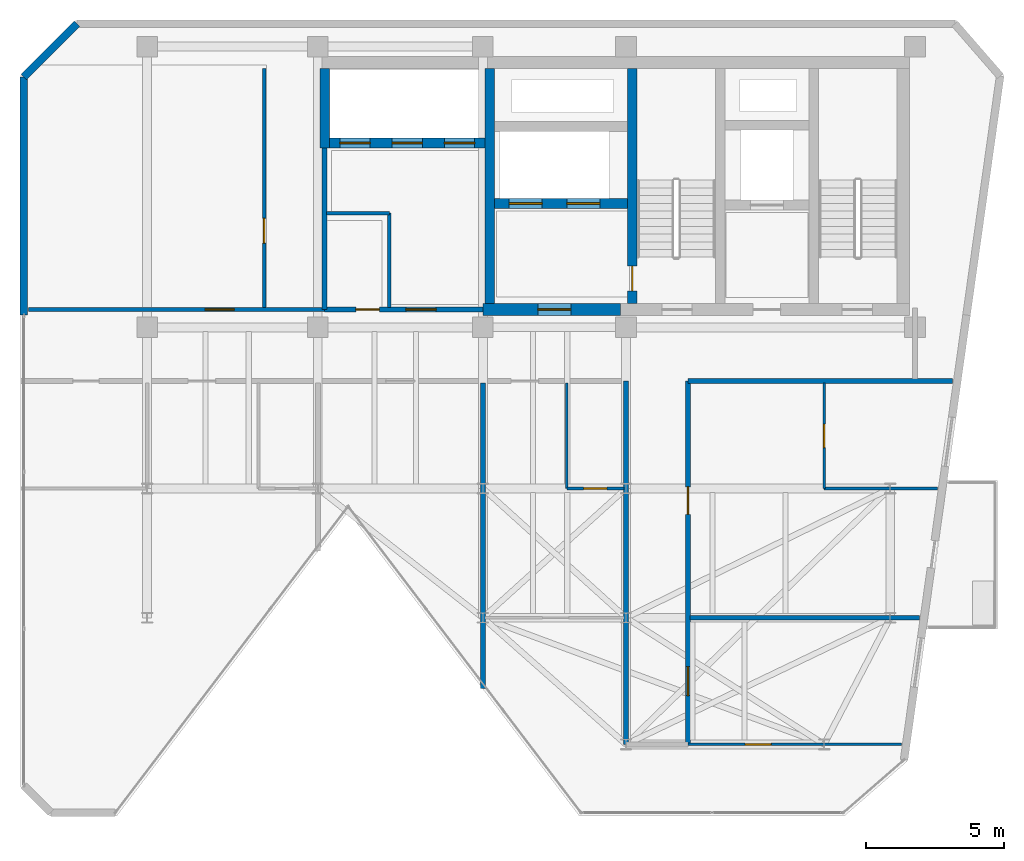
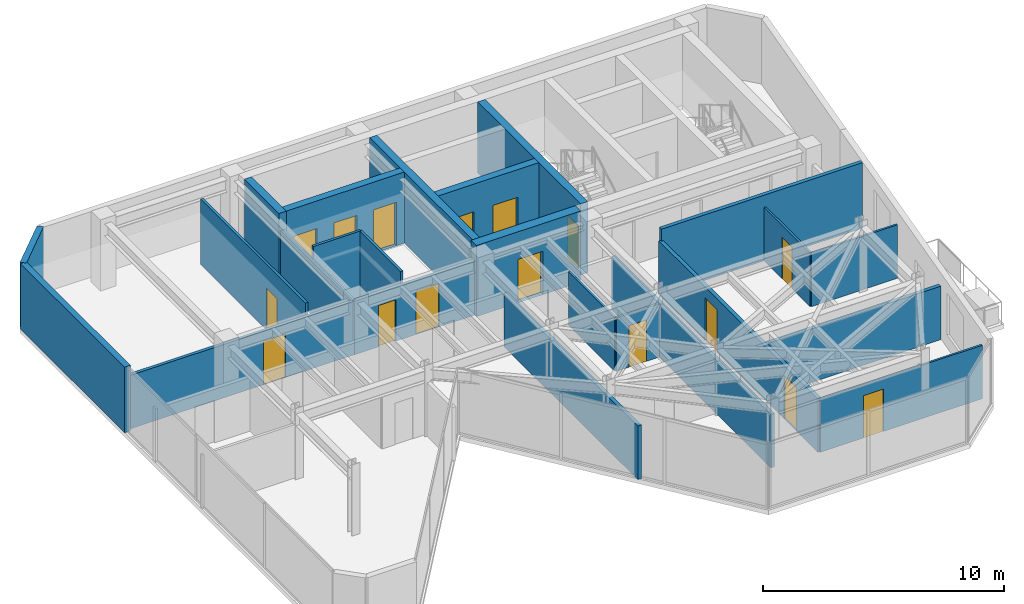
# One storey, part 13 of 16: 24 walls, 16 doors, 16 openings.
"""IFC4 building model written with IfcOpenShell, lengths in metres."""

import ifcopenshell
import ifcopenshell.guid

model = None  # the IFC model being written
_history = None  # IfcOwnerHistory: only IFC2X3 demands one
_inside = {}  # id of a spatial element -> (the spatial element, [elements in it])
_under = {}  # id of a project, library or spatial element -> (it, [spatial elements below it])
_declared = {}  # id of a project -> (the project, [libraries it declares])
_typed = {}  # id of a type object -> (the type object, [elements of that type])
_made_of = {}  # id of a material, layer set ... -> (it, [elements and type objects made of it])


def new_model(schema):
    """Start an empty IFC model of exactly this schema.

    Asked for "IFC4X3", IfcOpenShell would pick the latest addendum, in which some entities
    have other attributes; the version numbers below select the first issue.
    IFC2X3 requires an IfcOwnerHistory on every rooted entity: one is made here for all.
    """
    global model, _history
    if schema == "IFC4X3":
        model = ifcopenshell.file(schema_version=(4, 3, 0, 0))
    else:
        model = ifcopenshell.file(schema=schema)
    _inside.clear()
    _under.clear()
    _declared.clear()
    _typed.clear()
    _made_of.clear()
    _history = None
    if model.schema == "IFC2X3":
        org = make("IfcOrganization", Name="unknown")
        user = make(
            "IfcPersonAndOrganization",
            ThePerson=make("IfcPerson", FamilyName="unknown"),
            TheOrganization=org,
        )
        app = make(
            "IfcApplication",
            ApplicationDeveloper=org,
            Version="unknown",
            ApplicationFullName="unknown",
            ApplicationIdentifier="unknown",
        )
        _history = make(
            "IfcOwnerHistory",
            OwningUser=user,
            OwningApplication=app,
            ChangeAction="ADDED",
            CreationDate=0,
        )
    return model


def make(cls, **values):
    """One entity of the class cls with the attributes given. An attribute that is None is left unset."""
    return model.create_entity(
        cls, **{name: value for name, value in values.items() if value is not None}
    )


def rooted(cls, **values):
    """An entity with a GlobalId (a new one), such as an element, a storey or a relation."""
    return make(cls, GlobalId=ifcopenshell.guid.new(), OwnerHistory=_history, **values)


def si_unit(unit_type, name, prefix=None):
    """IfcSIUnit, for example si_unit("LENGTHUNIT", "METRE", prefix="MILLI")."""
    return make("IfcSIUnit", UnitType=unit_type, Prefix=prefix, Name=name)


def assignment(units):
    """IfcUnitAssignment: the units of a project."""
    return None if units is None else make("IfcUnitAssignment", Units=units)


def point(xyz):
    """IfcCartesianPoint."""
    return None if xyz is None else make("IfcCartesianPoint", Coordinates=xyz)


def direction(xyz):
    """IfcDirection."""
    return None if xyz is None else make("IfcDirection", DirectionRatios=xyz)


def frame(location, z_axis=None, x_axis=None):
    """IfcAxis2Placement3D, a coordinate frame: its origin and axes. An axis left out is left unset."""
    return make(
        "IfcAxis2Placement3D",
        Location=point(location),
        Axis=direction(z_axis),
        RefDirection=direction(x_axis),
    )


def frame_2d(location, x_axis=None):
    """IfcAxis2Placement2D, a coordinate frame in the plane: its origin and x axis."""
    return make(
        "IfcAxis2Placement2D", Location=point(location), RefDirection=direction(x_axis)
    )


def origin():
    """The frame at (0, 0, 0) with its axes left unset."""
    return frame((0.0, 0.0, 0.0))


def place(relative_to, where):
    """IfcLocalPlacement: puts the frame where relative to a parent placement (None: the world)."""
    return make(
        "IfcLocalPlacement", PlacementRelTo=relative_to, RelativePlacement=where
    )


def context(
    kind, dimensions, precision=None, world=None, true_north=None, identifier=None
):
    """IfcGeometricRepresentationContext, for example the 3D "Model" context."""
    return make(
        "IfcGeometricRepresentationContext",
        ContextIdentifier=identifier,
        ContextType=kind,
        CoordinateSpaceDimension=dimensions,
        Precision=precision,
        WorldCoordinateSystem=world,
        TrueNorth=true_north,
    )


def subcontext(parent, identifier, kind, view, scale=None):
    """IfcGeometricRepresentationSubContext, for example "Body" below "Model"."""
    return make(
        "IfcGeometricRepresentationSubContext",
        ContextIdentifier=identifier,
        ContextType=kind,
        ParentContext=parent,
        TargetScale=scale,
        TargetView=view,
    )


def project(units=None, contexts=None):
    """IfcProject with its units and contexts."""
    return rooted(
        "IfcProject",
        Name="project",
        RepresentationContexts=contexts,
        UnitsInContext=assignment(units),
    )


def spatial(cls, under=None, at=None, **own):
    """A site, building, storey or space (cls), placed at a placement, below another one or the project."""
    s = rooted(cls, ObjectPlacement=at, **own)
    if under is not None:
        _under.setdefault(under.id(), (under, []))[1].append(s)
    return s


def profile(cls, at=None, kind="AREA", **sizes):
    """A parametric profile (cls). Its sizes go by their IFC names, for example OverallWidth=200.0."""
    return make(cls, ProfileType=kind, Position=at, **sizes)


def rectangle(**sizes):
    """IfcRectangleProfileDef."""
    return profile("IfcRectangleProfileDef", **sizes)


def extrude(swept, where, along, depth):
    """IfcExtrudedAreaSolid: the profile swept, set in the frame where, extruded along a direction by depth."""
    return make(
        "IfcExtrudedAreaSolid",
        SweptArea=swept,
        Position=where,
        ExtrudedDirection=direction(along),
        Depth=depth,
    )


def shape(context_of_items, identifier, shape_type, items):
    """IfcShapeRepresentation: the items that make up one representation, for example the "Body"."""
    return make(
        "IfcShapeRepresentation",
        ContextOfItems=context_of_items,
        RepresentationIdentifier=identifier,
        RepresentationType=shape_type,
        Items=items,
    )


def material(Name=None, Category=None):
    """IfcMaterial."""
    return make("IfcMaterial", Name=Name, Category=Category)


def layer(
    of_material, thickness, ventilated=None, Name=None, Category=None, Priority=None
):
    """IfcMaterialLayer: one layer of a wall or slab, of a material (None: an air gap)."""
    return make(
        "IfcMaterialLayer",
        Material=of_material,
        LayerThickness=thickness,
        IsVentilated=ventilated,
        Name=Name,
        Category=Category,
        Priority=Priority,
    )


def layer_set(layers, Name=None):
    """IfcMaterialLayerSet."""
    return make("IfcMaterialLayerSet", MaterialLayers=layers, LayerSetName=Name)


def made_of(thing, what):
    """Note that an element or type object is made of a material, layer set ...; save() writes the relation."""
    if what is not None:
        _made_of.setdefault(what.id(), (what, []))[1].append(thing)
    return thing


def type_object(cls, material=None, **own):
    """A type object (cls), such as IfcWallType, which elements share."""
    return made_of(rooted(cls, **own), material)


def element(
    cls,
    number,
    at=None,
    inside=None,
    cuts=None,
    type_object=None,
    material=None,
    context=None,
    identifier="Body",
    shape_type=None,
    held_by="IfcProductDefinitionShape",
    body=None,
    shapes=None,
    **own,
):
    """One element of the class cls, such as IfcWall. Its Tag is "e" and its number.

    at: its placement. inside: the storey or other place that contains it. cuts: it is an
    opening in that element (IfcRelVoidsElement). A single representation is given by context,
    identifier, shape_type and body (its items); several are given by shapes. held_by: the class
    of the entity that holds the representations. save() writes the other relations.
    """
    e = rooted(cls, Tag="e%d" % number, ObjectPlacement=at, **own)
    if body is not None:
        shapes = [shape(context, identifier, shape_type, body)]
    if shapes is not None:
        e.Representation = make(held_by, Representations=shapes)
    if inside is not None:
        _inside.setdefault(inside.id(), (inside, []))[1].append(e)
    if cuts is not None:
        rooted(
            "IfcRelVoidsElement", RelatingBuildingElement=cuts, RelatedOpeningElement=e
        )
    if type_object is not None:
        _typed.setdefault(type_object.id(), (type_object, []))[1].append(e)
    return made_of(e, material)


def fill(opening, filler):
    """IfcRelFillsElement: the door or window that sits in an opening."""
    return rooted(
        "IfcRelFillsElement",
        RelatingOpeningElement=opening,
        RelatedBuildingElement=filler,
    )


def aggregate(whole, parts):
    """IfcRelAggregates: a whole, such as a stair, and the parts it consists of."""
    return rooted("IfcRelAggregates", RelatingObject=whole, RelatedObjects=parts)


def save(model, path):
    """Write the relations noted so far, then the file.

    IfcRelAggregates (storeys below a building ...), IfcRelContainedInSpatialStructure (elements
    in a storey), IfcRelDefinesByType, IfcRelAssociatesMaterial and IfcRelDeclares: one each for
    every whole, place, type object, material and project.
    """
    for whole, parts in _under.values():
        aggregate(whole, parts)
    for where, things in _inside.values():
        rooted(
            "IfcRelContainedInSpatialStructure",
            RelatedElements=things,
            RelatingStructure=where,
        )
    for kind, things in _typed.values():
        rooted("IfcRelDefinesByType", RelatedObjects=things, RelatingType=kind)
    for what, things in _made_of.values():
        rooted("IfcRelAssociatesMaterial", RelatedObjects=things, RelatingMaterial=what)
    for by, libraries in _declared.values():
        rooted("IfcRelDeclares", RelatingContext=by, RelatedDefinitions=libraries)
    model.write(path)


model = new_model("IFC4")

# Units and contexts
model_context = context("Model", 3, precision=1e-05, world=origin(), true_north=direction((0.0, 1.0)))
body_context = subcontext(model_context, "Body", "Model", "MODEL_VIEW")
ifc_project = project(units=[si_unit("LENGTHUNIT", "METRE"), si_unit("AREAUNIT", "SQUARE_METRE"), si_unit("VOLUMEUNIT", "CUBIC_METRE"), si_unit("PLANEANGLEUNIT", "RADIAN"), si_unit("MASSUNIT", "GRAM", prefix="KILO")], contexts=[model_context])

# Site, building, storey
site_placement = place(None, origin())
site = spatial("IfcSite", under=ifc_project, at=site_placement, CompositionType="ELEMENT")
building_placement = place(site_placement, origin())
building = spatial("IfcBuilding", under=site, at=building_placement, Name="Kravanh Interchange Tower", CompositionType="ELEMENT")
storey_placement = place(building_placement, frame((0.0, 0.0, 307.5)))
storey = spatial("IfcBuildingStorey", under=building, at=storey_placement, Name="L76", CompositionType="ELEMENT", Elevation=307.5)

# Walls
ifc_material_1 = material(Name="Double Acoustic Gypsum Board and Mineral Wool")
ifc_layer_1 = layer(ifc_material_1, 0.1201171875)
ifc_layer_set_1 = layer_set([ifc_layer_1], Name="Acoustic Office Drywall Partition 120mm")
wall_type_1 = type_object("IfcWallType", Name="Acoustic Office Drywall Partition 120mm", PredefinedType="PARTITIONING", material=ifc_layer_set_1)
wall_1_placement = place(storey_placement, frame((47.39990234375, 38.068115234375, 0.0), z_axis=(0.0, 0.0, 1.0), x_axis=(0.0, 1.0, 0.0)))
element("IfcWall", 1, at=wall_1_placement, inside=storey, type_object=wall_type_1, Name="L76 Interior Partition 2", PredefinedType="PARTITIONING", context=body_context, shape_type="SweptSolid", body=[
    extrude(rectangle(XDim=3.431884765625, YDim=0.1201171875, at=frame_2d((1.7158203125, 0.0))), origin(), (0.0, 0.0, 1.0), 3.320068359375),
])
wall_2_placement = place(storey_placement, frame((45.117919921875, 41.5, 0.0), z_axis=(0.0, 0.0, 1.0), x_axis=(1.0, 0.0, 0.0)))
element("IfcWall", 2, at=wall_2_placement, inside=storey, type_object=wall_type_1, Name="L76 Interior Partition 3", PredefinedType="PARTITIONING", context=body_context, shape_type="SweptSolid", body=[
    extrude(rectangle(XDim=2.281982421875, YDim=0.1201171875, at=frame_2d((1.14111328125, 0.0))), origin(), (0.0, 0.0, 1.0), 3.320068359375),
])

# Wall, opening, door
wall_3_placement = place(storey_placement, frame((42.85009765625, 38.068115234375, 0.0), z_axis=(0.0, 0.0, 1.0), x_axis=(0.0, 1.0, 0.0)))
wall_3 = element("IfcWall", 3, at=wall_3_placement, inside=storey, type_object=wall_type_1, Name="L76 Interior Partition 7", PredefinedType="PARTITIONING", context=body_context, shape_type="SweptSolid", body=[
    extrude(rectangle(XDim=8.681884765625, YDim=0.1201171875, at=frame_2d((4.3408203125, 0.0))), origin(), (0.0, 0.0, 1.0), 3.320068359375),
])
opening_1_placement = place(wall_3_placement, frame((2.341796875, 0.0, 0.0)))
opening_1 = element("IfcOpeningElement", 4, at=opening_1_placement, cuts=wall_3, Name="Opening D-90", PredefinedType="OPENING", context=body_context, shape_type="SweptSolid", body=[
    extrude(rectangle(XDim=0.89990234375, YDim=2.10009765625, at=frame_2d((0.449951171875, 1.050048828125))), frame((0.0, 0.070068359375, 0.0), z_axis=(0.0, -1.0, 0.0), x_axis=(1.0, 0.0, 0.0)), (0.0, 0.0, 1.0), 0.14013671875),
])
ifc_material_2 = material(Name="Painted Solid-Core Timber", Category="wood")
door_type_1 = type_object("IfcDoorType", Name="Service Room Door 900x2100", OperationType="NOTDEFINED", PredefinedType="DOOR", material=ifc_material_2)
door_1_placement = place(opening_1_placement, origin())
door_1 = element("IfcDoor", 5, at=door_1_placement, inside=storey, type_object=door_type_1, Name="L76 Housekeeping Inner Door", OperationType="SINGLE_SWING_RIGHT", OverallHeight=2.10009765625, OverallWidth=0.89990234375, PredefinedType="DOOR", context=body_context, shape_type="SweptSolid", body=[
    extrude(rectangle(XDim=0.89990234375, YDim=2.10009765625, at=frame_2d((0.449951171875, 1.050048828125))), frame((0.0, 0.02490234375, 0.0), z_axis=(0.0, -1.0, 0.0), x_axis=(1.0, 0.0, 0.0)), (0.0, 0.0, 1.0), 0.050048828125),
])
fill(opening_1, door_1)

ifc_material_3 = material(Name="Concrete C60/75", Category="concrete")
ifc_layer_2 = layer(ifc_material_3, 0.35009765625)
ifc_layer_set_2 = layer_set([ifc_layer_2], Name="Core Shear Wall Concrete C60/75 350mm")
wall_type_2 = type_object("IfcWallType", Name="Core Shear Wall Concrete C60/75 350mm", PredefinedType="SHEAR", material=ifc_layer_set_2)
wall_4_placement = place(storey_placement, frame((56.22509765625, 38.22509765625, 0.0), z_axis=(0.0, 0.0, 1.0), x_axis=(0.0, 1.0, 0.0)))
wall_4 = element("IfcWall", 6, at=wall_4_placement, inside=storey, type_object=wall_type_2, Name="L76 Stair ST2 West Shear Wall", PredefinedType="SHEAR", context=body_context, shape_type="SweptSolid", body=[
    extrude(rectangle(XDim=8.52490234375, YDim=0.35009765625, at=frame_2d((4.262451171875, 0.0))), origin(), (0.0, 0.0, 1.0), 3.60009765625),
])
opening_2_placement = place(wall_4_placement, frame((0.455078125, 0.0, 0.0)))
opening_2 = element("IfcOpeningElement", 7, at=opening_2_placement, cuts=wall_4, Name="Opening D-STAIR-90", PredefinedType="OPENING", context=body_context, shape_type="SweptSolid", body=[
    extrude(rectangle(XDim=0.89990234375, YDim=2.14990234375, at=frame_2d((0.449951171875, 1.074951171875))), frame((0.0, 0.18505859375, 0.0), z_axis=(0.0, -1.0, 0.0), x_axis=(1.0, 0.0, 0.0)), (0.0, 0.0, 1.0), 0.3701171875),
])
ifc_material_4 = material(Name="Structural Steel S355", Category="steel")
door_type_2 = type_object("IfcDoorType", Name="Fire-Rated Stair Lobby Door 900x2150", OperationType="NOTDEFINED", PredefinedType="DOOR", material=ifc_material_4)
door_2_placement = place(opening_2_placement, origin())
door_2 = element("IfcDoor", 8, at=door_2_placement, inside=storey, type_object=door_type_2, Name="L76 Firefighting Lobby to Stair ST2 Door", OperationType="SINGLE_SWING_LEFT", OverallHeight=2.14990234375, OverallWidth=0.89990234375, PredefinedType="DOOR", context=body_context, shape_type="SweptSolid", body=[
    extrude(rectangle(XDim=0.89990234375, YDim=2.14990234375, at=frame_2d((0.449951171875, 1.074951171875))), frame((0.0, 0.02490234375, 0.0), z_axis=(0.0, -1.0, 0.0), x_axis=(1.0, 0.0, 0.0)), (0.0, 0.0, 1.0), 0.050048828125),
])
fill(opening_2, door_2)

# Wall, openings, doors
wall_5_placement = place(storey_placement, frame((51.22509765625, 41.85009765625, 0.0), z_axis=(0.0, 0.0, 1.0), x_axis=(1.0, 0.0, 0.0)))
wall_5 = element("IfcWall", 9, at=wall_5_placement, inside=storey, type_object=wall_type_2, Name="L76 Fire Lift Shaft South Wall", PredefinedType="SHEAR", context=body_context, shape_type="SweptSolid", body=[
    extrude(rectangle(XDim=4.824951171875, YDim=0.35009765625, at=frame_2d((2.41259765625, 0.0))), origin(), (0.0, 0.0, 1.0), 3.60009765625),
])
opening_3_placement = place(wall_5_placement, frame((0.52490234375, 0.0, 0.0)))
opening_3 = element("IfcOpeningElement", 10, at=opening_3_placement, cuts=wall_5, Name="Opening LD02", PredefinedType="OPENING", context=body_context, shape_type="SweptSolid", body=[
    extrude(rectangle(XDim=1.199951171875, YDim=2.199951171875, at=frame_2d((0.60009765625, 1.10009765625))), frame((0.0, 0.18505859375, 0.0), z_axis=(0.0, -1.0, 0.0), x_axis=(1.0, 0.0, 0.0)), (0.0, 0.0, 1.0), 0.3701171875),
])
opening_4_placement = place(wall_5_placement, frame((2.625, 0.0, 0.0)))
opening_4 = element("IfcOpeningElement", 11, at=opening_4_placement, cuts=wall_5, Name="Opening LD02", PredefinedType="OPENING", context=body_context, shape_type="SweptSolid", body=[
    extrude(rectangle(XDim=1.199951171875, YDim=2.199951171875, at=frame_2d((0.60009765625, 1.10009765625))), frame((0.0, 0.18505859375, 0.0), z_axis=(0.0, -1.0, 0.0), x_axis=(1.0, 0.0, 0.0)), (0.0, 0.0, 1.0), 0.3701171875),
])
ifc_material_5 = material(Name="Stainless Steel 316", Category="steel")
door_type_3 = type_object("IfcDoorType", Name="Fire and Service Lift Sliding Landing Door 1200x2200", OperationType="DOUBLE_DOOR_SLIDING", PredefinedType="DOOR", material=ifc_material_5)
door_3_placement = place(opening_3_placement, origin())
door_3 = element("IfcDoor", 12, at=door_3_placement, inside=storey, type_object=door_type_3, Name="L76 Lift FSAE-01 Landing Door", OperationType="DOUBLE_DOOR_SLIDING", OverallHeight=2.199951171875, OverallWidth=1.199951171875, PredefinedType="DOOR", context=body_context, shape_type="SweptSolid", body=[
    extrude(rectangle(XDim=1.199951171875, YDim=2.199951171875, at=frame_2d((0.60009765625, 1.10009765625))), frame((0.0, 0.02490234375, 0.0), z_axis=(0.0, -1.0, 0.0), x_axis=(1.0, 0.0, 0.0)), (0.0, 0.0, 1.0), 0.050048828125),
])
fill(opening_3, door_3)
door_4_placement = place(opening_4_placement, origin())
door_4 = element("IfcDoor", 13, at=door_4_placement, inside=storey, type_object=door_type_3, Name="L76 Lift FSAE-02 Landing Door", OperationType="DOUBLE_DOOR_SLIDING", OverallHeight=2.199951171875, OverallWidth=1.199951171875, PredefinedType="DOOR", context=body_context, shape_type="SweptSolid", body=[
    extrude(rectangle(XDim=1.199951171875, YDim=2.199951171875, at=frame_2d((0.60009765625, 1.10009765625))), frame((0.0, 0.02490234375, 0.0), z_axis=(0.0, -1.0, 0.0), x_axis=(1.0, 0.0, 0.0)), (0.0, 0.0, 1.0), 0.050048828125),
])
fill(opening_4, door_4)

# Wall
wall_6_placement = place(storey_placement, frame((51.050048828125, 38.22509765625, 0.0), z_axis=(0.0, 0.0, 1.0), x_axis=(0.0, 1.0, 0.0)))
element("IfcWall", 14, at=wall_6_placement, inside=storey, type_object=wall_type_2, Name="L76 Firefighting Lobby West Wall", PredefinedType="SHEAR", context=body_context, shape_type="SweptSolid", body=[
    extrude(rectangle(XDim=8.52490234375, YDim=0.35009765625, at=frame_2d((4.262451171875, 0.0))), origin(), (0.0, 0.0, 1.0), 3.60009765625),
])

# Wall, openings, doors
wall_7_placement = place(storey_placement, frame((45.22509765625, 44.050048828125, 0.0), z_axis=(0.0, 0.0, 1.0), x_axis=(1.0, 0.0, 0.0)))
wall_7 = element("IfcWall", 15, at=wall_7_placement, inside=storey, type_object=wall_type_2, Name="L76 High-Rise Lift Shaft South Wall", PredefinedType="SHEAR", context=body_context, shape_type="SweptSolid", body=[
    extrude(rectangle(XDim=5.64990234375, YDim=0.35009765625, at=frame_2d((2.824951171875, 0.0))), origin(), (0.0, 0.0, 1.0), 3.60009765625),
])
opening_5_placement = place(wall_7_placement, frame((0.375, 0.0, 0.0)))
opening_5 = element("IfcOpeningElement", 16, at=opening_5_placement, cuts=wall_7, Name="Opening LD01", PredefinedType="OPENING", context=body_context, shape_type="SweptSolid", body=[
    extrude(rectangle(XDim=1.10009765625, YDim=2.199951171875, at=frame_2d((0.550048828125, 1.10009765625))), frame((0.0, 0.18505859375, 0.0), z_axis=(0.0, -1.0, 0.0), x_axis=(1.0, 0.0, 0.0)), (0.0, 0.0, 1.0), 0.3701171875),
])
opening_6_placement = place(wall_7_placement, frame((2.27490234375, 0.0, 0.0)))
opening_6 = element("IfcOpeningElement", 17, at=opening_6_placement, cuts=wall_7, Name="Opening LD01", PredefinedType="OPENING", context=body_context, shape_type="SweptSolid", body=[
    extrude(rectangle(XDim=1.10009765625, YDim=2.199951171875, at=frame_2d((0.550048828125, 1.10009765625))), frame((0.0, 0.18505859375, 0.0), z_axis=(0.0, -1.0, 0.0), x_axis=(1.0, 0.0, 0.0)), (0.0, 0.0, 1.0), 0.3701171875),
])
opening_7_placement = place(wall_7_placement, frame((4.175048828125, 0.0, 0.0)))
opening_7 = element("IfcOpeningElement", 18, at=opening_7_placement, cuts=wall_7, Name="Opening LD01", PredefinedType="OPENING", context=body_context, shape_type="SweptSolid", body=[
    extrude(rectangle(XDim=1.10009765625, YDim=2.199951171875, at=frame_2d((0.550048828125, 1.10009765625))), frame((0.0, 0.18505859375, 0.0), z_axis=(0.0, -1.0, 0.0), x_axis=(1.0, 0.0, 0.0)), (0.0, 0.0, 1.0), 0.3701171875),
])
ifc_material_6 = material(Name="Stainless Steel 304", Category="steel")
door_type_4 = type_object("IfcDoorType", Name="Passenger Lift Sliding Landing Door 1100x2200", OperationType="DOUBLE_DOOR_SLIDING", PredefinedType="DOOR", material=ifc_material_6)
door_5_placement = place(opening_5_placement, origin())
door_5 = element("IfcDoor", 19, at=door_5_placement, inside=storey, type_object=door_type_4, Name="L76 Lift LP-H1 Landing Door", OperationType="DOUBLE_DOOR_SLIDING", OverallHeight=2.199951171875, OverallWidth=1.10009765625, PredefinedType="DOOR", context=body_context, shape_type="SweptSolid", body=[
    extrude(rectangle(XDim=1.10009765625, YDim=2.199951171875, at=frame_2d((0.550048828125, 1.10009765625))), frame((0.0, 0.02490234375, 0.0), z_axis=(0.0, -1.0, 0.0), x_axis=(1.0, 0.0, 0.0)), (0.0, 0.0, 1.0), 0.050048828125),
])
fill(opening_5, door_5)
door_6_placement = place(opening_6_placement, origin())
door_6 = element("IfcDoor", 20, at=door_6_placement, inside=storey, type_object=door_type_4, Name="L76 Lift LP-H2 Landing Door", OperationType="DOUBLE_DOOR_SLIDING", OverallHeight=2.199951171875, OverallWidth=1.10009765625, PredefinedType="DOOR", context=body_context, shape_type="SweptSolid", body=[
    extrude(rectangle(XDim=1.10009765625, YDim=2.199951171875, at=frame_2d((0.550048828125, 1.10009765625))), frame((0.0, 0.02490234375, 0.0), z_axis=(0.0, -1.0, 0.0), x_axis=(1.0, 0.0, 0.0)), (0.0, 0.0, 1.0), 0.050048828125),
])
fill(opening_6, door_6)
door_7_placement = place(opening_7_placement, origin())
door_7 = element("IfcDoor", 21, at=door_7_placement, inside=storey, type_object=door_type_4, Name="L76 Lift LP-H3 Landing Door", OperationType="DOUBLE_DOOR_SLIDING", OverallHeight=2.199951171875, OverallWidth=1.10009765625, PredefinedType="DOOR", context=body_context, shape_type="SweptSolid", body=[
    extrude(rectangle(XDim=1.10009765625, YDim=2.199951171875, at=frame_2d((0.550048828125, 1.10009765625))), frame((0.0, 0.02490234375, 0.0), z_axis=(0.0, -1.0, 0.0), x_axis=(1.0, 0.0, 0.0)), (0.0, 0.0, 1.0), 0.050048828125),
])
fill(opening_7, door_7)

# Wall
wall_8_placement = place(storey_placement, frame((45.050048828125, 43.875, 0.0), z_axis=(0.0, 0.0, 1.0), x_axis=(0.0, 1.0, 0.0)))
element("IfcWall", 22, at=wall_8_placement, inside=storey, type_object=wall_type_2, Name="L76 High-Rise Lift Shaft West Wall", PredefinedType="SHEAR", context=body_context, shape_type="SweptSolid", body=[
    extrude(rectangle(XDim=2.875, YDim=0.35009765625, at=frame_2d((1.4375, 0.0))), origin(), (0.0, 0.0, 1.0), 3.60009765625),
])

# Wall, opening, door
ifc_material_7 = material(Name="Concrete C60/75", Category="concrete")
ifc_layer_3 = layer(ifc_material_7, 0.449951171875)
ifc_layer_set_3 = layer_set([ifc_layer_3], Name="Core Shear Wall Concrete C60/75 450mm")
wall_type_3 = type_object("IfcWallType", Name="Core Shear Wall Concrete C60/75 450mm", PredefinedType="SHEAR", material=ifc_layer_set_3)
wall_9_placement = place(storey_placement, frame((50.800048828125, 38.0, 0.0), z_axis=(0.0, 0.0, 1.0), x_axis=(1.0, 0.0, 0.0)))
wall_9 = element("IfcWall", 23, at=wall_9_placement, inside=storey, type_object=wall_type_3, Name="L76 Firefighting Lobby South Shear Wall", PredefinedType="SHEAR", context=body_context, shape_type="SweptSolid", body=[
    extrude(rectangle(XDim=5.0, YDim=0.449951171875, at=frame_2d((2.5, 0.0))), origin(), (0.0, 0.0, 1.0), 3.60009765625),
])
opening_8_placement = place(wall_9_placement, frame((2.0, 0.0, 0.0)))
opening_8 = element("IfcOpeningElement", 24, at=opening_8_placement, cuts=wall_9, Name="Opening D-FSAE-120", PredefinedType="OPENING", context=body_context, shape_type="SweptSolid", body=[
    extrude(rectangle(XDim=1.199951171875, YDim=2.199951171875, at=frame_2d((0.60009765625, 1.10009765625))), frame((0.0, 0.23486328125, 0.0), z_axis=(0.0, -1.0, 0.0), x_axis=(1.0, 0.0, 0.0)), (0.0, 0.0, 1.0), 0.469970703125),
])
ifc_material_8 = material(Name="Structural Steel S355", Category="steel")
door_type_5 = type_object("IfcDoorType", Name="Fire-Rated Refuge and FSAE Door 1200x2200", OperationType="NOTDEFINED", PredefinedType="DOOR", material=ifc_material_8)
door_8_placement = place(opening_8_placement, origin())
door_8 = element("IfcDoor", 25, at=door_8_placement, inside=storey, type_object=door_type_5, Name="L76 Firefighting Lobby Corridor Door", OperationType="SINGLE_SWING_RIGHT", OverallHeight=2.199951171875, OverallWidth=1.199951171875, PredefinedType="DOOR", context=body_context, shape_type="SweptSolid", body=[
    extrude(rectangle(XDim=1.199951171875, YDim=2.199951171875, at=frame_2d((0.60009765625, 1.10009765625))), frame((0.0, 0.02490234375, 0.0), z_axis=(0.0, -1.0, 0.0), x_axis=(1.0, 0.0, 0.0)), (0.0, 0.0, 1.0), 0.050048828125),
])
fill(opening_8, door_8)

ifc_material_9 = material(Name="Moisture-Resistant Gypsum Board and Mineral Wool")
ifc_layer_4 = layer(ifc_material_9, 0.10009765625)
ifc_layer_set_4 = layer_set([ifc_layer_4], Name="En-Suite Moisture-Resistant Partition 100mm")
wall_type_4 = type_object("IfcWallType", Name="En-Suite Moisture-Resistant Partition 100mm", PredefinedType="PARTITIONING", material=ifc_layer_set_4)
wall_10_placement = place(storey_placement, frame((58.25, 22.199951171875, 0.0), z_axis=(0.0, 0.0, 1.0), x_axis=(1.0, 0.0, 0.0)))
wall_10 = element("IfcWall", 26, at=wall_10_placement, inside=storey, type_object=wall_type_4, Name="L76 Interior Partition 17", PredefinedType="PARTITIONING", context=body_context, shape_type="SweptSolid", body=[
    extrude(rectangle(XDim=7.76611328125, YDim=0.10009765625, at=frame_2d((3.883056640625, 0.0))), origin(), (0.0, 0.0, 1.0), 2.708984375),
])
opening_9_placement = place(wall_10_placement, frame((2.074951171875, 0.0, 0.0)))
opening_9 = element("IfcOpeningElement", 27, at=opening_9_placement, cuts=wall_10, Name="Opening D-95", PredefinedType="OPENING", context=body_context, shape_type="SweptSolid", body=[
    extrude(rectangle(XDim=0.949951171875, YDim=2.14990234375, at=frame_2d((0.47509765625, 1.074951171875))), frame((0.0, 0.06005859375, 0.0), z_axis=(0.0, -1.0, 0.0), x_axis=(1.0, 0.0, 0.0)), (0.0, 0.0, 1.0), 0.1201171875),
])
ifc_material_10 = material(Name="Laminate Solid-Core Timber", Category="wood")
door_type_6 = type_object("IfcDoorType", Name="Accessible Restroom Door 950x2150", OperationType="NOTDEFINED", PredefinedType="DOOR", material=ifc_material_10)
door_9_placement = place(opening_9_placement, origin())
door_9 = element("IfcDoor", 28, at=door_9_placement, inside=storey, type_object=door_type_6, Name="L76 SE Sunroom Inner Door", OperationType="SINGLE_SWING_LEFT", OverallHeight=2.14990234375, OverallWidth=0.949951171875, PredefinedType="DOOR", context=body_context, shape_type="SweptSolid", body=[
    extrude(rectangle(XDim=0.949951171875, YDim=2.14990234375, at=frame_2d((0.47509765625, 1.074951171875))), frame((0.0, 0.02490234375, 0.0), z_axis=(0.0, -1.0, 0.0), x_axis=(1.0, 0.0, 0.0)), (0.0, 0.0, 1.0), 0.050048828125),
])
fill(opening_9, door_9)

# Wall
wall_11_placement = place(storey_placement, frame((63.199951171875, 31.5, 0.0), z_axis=(0.0, 0.0, 1.0), x_axis=(1.0, 0.0, 0.0)))
element("IfcWall", 29, at=wall_11_placement, inside=storey, type_object=wall_type_4, Name="L76 Interior Partition 18", PredefinedType="PARTITIONING", context=body_context, shape_type="SweptSolid", body=[
    extrude(rectangle(XDim=4.123046875, YDim=0.10009765625, at=frame_2d((2.0615234375, 0.0))), origin(), (0.0, 0.0, 1.0), 2.708984375),
])

# Wall, opening, door
wall_12_placement = place(storey_placement, frame((63.199951171875, 31.5, 0.0), z_axis=(0.0, 0.0, 1.0), x_axis=(0.0, 1.0, 0.0)))
wall_12 = element("IfcWall", 30, at=wall_12_placement, inside=storey, type_object=wall_type_4, Name="L76 Interior Partition 19", PredefinedType="PARTITIONING", context=body_context, shape_type="SweptSolid", body=[
    extrude(rectangle(XDim=3.83203125, YDim=0.10009765625, at=frame_2d((1.916015625, 0.0))), origin(), (0.0, 0.0, 1.0), 2.708984375),
])
opening_10_placement = place(wall_12_placement, frame((1.48486328125, 0.0, 0.0)))
opening_10 = element("IfcOpeningElement", 31, at=opening_10_placement, cuts=wall_12, Name="Opening D-85", PredefinedType="OPENING", context=body_context, shape_type="SweptSolid", body=[
    extrude(rectangle(XDim=0.85009765625, YDim=2.10009765625, at=frame_2d((0.425048828125, 1.050048828125))), frame((0.0, 0.06005859375, 0.0), z_axis=(0.0, -1.0, 0.0), x_axis=(1.0, 0.0, 0.0)), (0.0, 0.0, 1.0), 0.1201171875),
])
ifc_material_11 = material(Name="Engineered Teak Veneer Timber", Category="wood")
door_type_7 = type_object("IfcDoorType", Name="En-Suite Timber Door 850x2100", OperationType="NOTDEFINED", PredefinedType="DOOR", material=ifc_material_11)
door_10_placement = place(opening_10_placement, origin())
door_10 = element("IfcDoor", 32, at=door_10_placement, inside=storey, type_object=door_type_7, Name="L76 En-suite Bathroom Door", OperationType="SINGLE_SWING_LEFT", OverallHeight=2.10009765625, OverallWidth=0.85009765625, PredefinedType="DOOR", context=body_context, shape_type="SweptSolid", body=[
    extrude(rectangle(XDim=0.85009765625, YDim=2.10009765625, at=frame_2d((0.425048828125, 1.050048828125))), frame((0.0, 0.02490234375, 0.0), z_axis=(0.0, -1.0, 0.0), x_axis=(1.0, 0.0, 0.0)), (0.0, 0.0, 1.0), 0.050048828125),
])
fill(opening_10, door_10)

# Wall
wall_13_placement = place(storey_placement, frame((53.85009765625, 31.5, 0.0), z_axis=(0.0, 0.0, 1.0), x_axis=(0.0, 1.0, 0.0)))
element("IfcWall", 33, at=wall_13_placement, inside=storey, type_object=wall_type_4, Name="L76 Interior Partition 25", PredefinedType="PARTITIONING", context=body_context, shape_type="SweptSolid", body=[
    extrude(rectangle(XDim=3.83203125, YDim=0.10009765625, at=frame_2d((1.916015625, 0.0))), origin(), (0.0, 0.0, 1.0), 2.708984375),
])

# Wall, opening, door
wall_14_placement = place(storey_placement, frame((53.85009765625, 31.5, 0.0), z_axis=(0.0, 0.0, 1.0), x_axis=(1.0, 0.0, 0.0)))
wall_14 = element("IfcWall", 34, at=wall_14_placement, inside=storey, type_object=wall_type_4, Name="L76 Interior Partition 26", PredefinedType="PARTITIONING", context=body_context, shape_type="SweptSolid", body=[
    extrude(rectangle(XDim=2.081787109375, YDim=0.10009765625, at=frame_2d((1.041015625, 0.0))), origin(), (0.0, 0.0, 1.0), 2.708984375),
])
opening_11_placement = place(wall_14_placement, frame((0.607421875, 0.0, 0.0)))
opening_11 = element("IfcOpeningElement", 35, at=opening_11_placement, cuts=wall_14, Name="Opening D-85", PredefinedType="OPENING", context=body_context, shape_type="SweptSolid", body=[
    extrude(rectangle(XDim=0.85009765625, YDim=2.10009765625, at=frame_2d((0.425048828125, 1.050048828125))), frame((0.0, 0.06005859375, 0.0), z_axis=(0.0, -1.0, 0.0), x_axis=(1.0, 0.0, 0.0)), (0.0, 0.0, 1.0), 0.1201171875),
])
door_11_placement = place(opening_11_placement, origin())
door_11 = element("IfcDoor", 36, at=door_11_placement, inside=storey, type_object=door_type_7, Name="L76 En-suite Bathroom Door", OperationType="SINGLE_SWING_LEFT", OverallHeight=2.10009765625, OverallWidth=0.85009765625, PredefinedType="DOOR", context=body_context, shape_type="SweptSolid", body=[
    extrude(rectangle(XDim=0.85009765625, YDim=2.10009765625, at=frame_2d((0.425048828125, 1.050048828125))), frame((0.0, 0.02490234375, 0.0), z_axis=(0.0, -1.0, 0.0), x_axis=(1.0, 0.0, 0.0)), (0.0, 0.0, 1.0), 0.050048828125),
])
fill(opening_11, door_11)

# Walls
ifc_material_12 = material(Name="Insulated Precast Concrete C40/50 with Bronze Cladding", Category="concrete")
ifc_layer_5 = layer(ifc_material_12, 0.280029296875)
ifc_layer_set_5 = layer_set([ifc_layer_5], Name="Exterior Insulated Concrete C40/50 Bronze Spandrel Wall 280mm")
wall_type_5 = type_object("IfcWallType", Name="Exterior Insulated Concrete C40/50 Bronze Spandrel Wall 280mm", PredefinedType="STANDARD", material=ifc_layer_set_5)
wall_15_placement = place(storey_placement, frame((34.1201171875, 37.800048828125, 0.0), z_axis=(0.0, 0.0, 1.0), x_axis=(0.0, 1.0, 0.0)))
element("IfcWall", 37, at=wall_15_placement, inside=storey, type_object=wall_type_5, Name="L76 Exterior Wall 1", PredefinedType="STANDARD", context=body_context, shape_type="SweptSolid", body=[
    extrude(rectangle(XDim=8.650146484375, YDim=0.280029296875, at=frame_2d((4.3251953125, 0.0))), origin(), (0.0, 0.0, 1.0), 3.320068359375),
])
wall_16_placement = place(storey_placement, frame((34.1201171875, 46.4501953125, 0.0), z_axis=(0.0, 0.0, 1.0), x_axis=(0.707106781187, 0.707106781187, 0.0)))
element("IfcWall", 38, at=wall_16_placement, inside=storey, type_object=wall_type_5, Name="L76 Exterior Wall 2", PredefinedType="STANDARD", context=body_context, shape_type="SweptSolid", body=[
    extrude(rectangle(XDim=2.72900390625, YDim=0.280029296875, at=frame_2d((1.364501953125, 0.0))), origin(), (0.0, 0.0, 1.0), 3.320068359375),
])

# Wall, openings, doors
ifc_material_13 = material(Name="Autoclaved Aerated Concrete C30/37 Blockwork", Category="masonry")
ifc_layer_6 = layer(ifc_material_13, 0.179931640625)
ifc_layer_set_6 = layer_set([ifc_layer_6], Name="Fire-Rated Lobby and Corridor Wall Concrete C30/37 180mm")
wall_type_6 = type_object("IfcWallType", Name="Fire-Rated Lobby and Corridor Wall Concrete C30/37 180mm", PredefinedType="STANDARD", material=ifc_layer_set_6)
wall_17_placement = place(storey_placement, frame((45.050048828125, 38.0, 0.0), z_axis=(0.0, 0.0, 1.0), x_axis=(1.0, 0.0, 0.0)))
wall_17 = element("IfcWall", 39, at=wall_17_placement, inside=storey, type_object=wall_type_6, Name="L76 High-Rise Lift Lobby Wall 1", PredefinedType="STANDARD", context=body_context, shape_type="SweptSolid", body=[
    extrude(rectangle(XDim=5.75, YDim=0.179931640625, at=frame_2d((2.875, 0.0))), origin(), (0.0, 0.0, 1.0), 2.708984375),
])
opening_12_placement = place(wall_17_placement, frame((1.135009765625, 0.0, 0.0)))
opening_12 = element("IfcOpeningElement", 40, at=opening_12_placement, cuts=wall_17, Name="Opening D-85", PredefinedType="OPENING", context=body_context, shape_type="SweptSolid", body=[
    extrude(rectangle(XDim=0.85009765625, YDim=2.10009765625, at=frame_2d((0.425048828125, 1.050048828125))), frame((0.0, 0.10009765625, 0.0), z_axis=(0.0, -1.0, 0.0), x_axis=(1.0, 0.0, 0.0)), (0.0, 0.0, 1.0), 0.199951171875),
])
opening_13_placement = place(wall_17_placement, frame((2.949951171875, 0.0, 0.0)))
opening_13 = element("IfcOpeningElement", 41, at=opening_13_placement, cuts=wall_17, Name="Opening D-SHAFT-110", PredefinedType="OPENING", context=body_context, shape_type="SweptSolid", body=[
    extrude(rectangle(XDim=1.10009765625, YDim=2.199951171875, at=frame_2d((0.550048828125, 1.10009765625))), frame((0.0, 0.10009765625, 0.0), z_axis=(0.0, -1.0, 0.0), x_axis=(1.0, 0.0, 0.0)), (0.0, 0.0, 1.0), 0.199951171875),
])
door_12_placement = place(opening_12_placement, origin())
door_12 = element("IfcDoor", 42, at=door_12_placement, inside=storey, type_object=door_type_7, Name="L76 Core Linen Closet Door", OperationType="SINGLE_SWING_LEFT", OverallHeight=2.10009765625, OverallWidth=0.85009765625, PredefinedType="DOOR", context=body_context, shape_type="SweptSolid", body=[
    extrude(rectangle(XDim=0.85009765625, YDim=2.10009765625, at=frame_2d((0.425048828125, 1.050048828125))), frame((0.0, 0.02490234375, 0.0), z_axis=(0.0, -1.0, 0.0), x_axis=(1.0, 0.0, 0.0)), (0.0, 0.0, 1.0), 0.050048828125),
])
fill(opening_12, door_12)
ifc_material_14 = material(Name="Fire-Rated Composite Timber Leaf", Category="wood")
door_type_8 = type_object("IfcDoorType", Name="Fire-Rated Core Support Door 1100x2200", OperationType="NOTDEFINED", PredefinedType="DOOR", material=ifc_material_14)
door_13_placement = place(opening_13_placement, origin())
door_13 = element("IfcDoor", 43, at=door_13_placement, inside=storey, type_object=door_type_8, Name="L76 High-Rise Lift Lobby Door", OperationType="SINGLE_SWING_RIGHT", OverallHeight=2.199951171875, OverallWidth=1.10009765625, PredefinedType="DOOR", context=body_context, shape_type="SweptSolid", body=[
    extrude(rectangle(XDim=1.10009765625, YDim=2.199951171875, at=frame_2d((0.550048828125, 1.10009765625))), frame((0.0, 0.02490234375, 0.0), z_axis=(0.0, -1.0, 0.0), x_axis=(1.0, 0.0, 0.0)), (0.0, 0.0, 1.0), 0.050048828125),
])
fill(opening_13, door_13)

# Walls
wall_18_placement = place(storey_placement, frame((45.050048828125, 38.0, 0.0), z_axis=(0.0, 0.0, 1.0), x_axis=(0.0, 1.0, 0.0)))
element("IfcWall", 44, at=wall_18_placement, inside=storey, type_object=wall_type_6, Name="L76 Interior Partition 4", PredefinedType="STANDARD", context=body_context, shape_type="SweptSolid", body=[
    extrude(rectangle(XDim=5.875, YDim=0.179931640625, at=frame_2d((2.9375, 0.0))), origin(), (0.0, 0.0, 1.0), 2.708984375),
])
wall_19_placement = place(storey_placement, frame((58.25, 35.39990234375, 0.0), z_axis=(0.0, 0.0, 1.0), x_axis=(1.0, 0.0, 0.0)))
element("IfcWall", 45, at=wall_19_placement, inside=storey, type_object=wall_type_6, Name="L76 Interior Partition 9", PredefinedType="STANDARD", context=body_context, shape_type="SweptSolid", body=[
    extrude(rectangle(XDim=9.62109375, YDim=0.179931640625, at=frame_2d((4.810546875, 0.0))), origin(), (0.0, 0.0, 1.0), 3.320068359375),
])
wall_20_placement = place(storey_placement, frame((56.0, 22.199951171875, 0.0), z_axis=(0.0, 0.0, 1.0), x_axis=(0.0, 1.0, 0.0)))
element("IfcWall", 46, at=wall_20_placement, inside=storey, type_object=wall_type_6, Name="L76 Interior Partition 11", PredefinedType="STANDARD", context=body_context, shape_type="SweptSolid", body=[
    extrude(rectangle(XDim=13.199951171875, YDim=0.179931640625, at=frame_2d((6.60009765625, 0.0))), origin(), (0.0, 0.0, 1.0), 2.708984375),
])

# Wall, openings, doors
wall_21_placement = place(storey_placement, frame((58.25, 22.199951171875, 0.0), z_axis=(0.0, 0.0, 1.0), x_axis=(0.0, 1.0, 0.0)))
wall_21 = element("IfcWall", 47, at=wall_21_placement, inside=storey, type_object=wall_type_6, Name="L76 Interior Partition 12", PredefinedType="STANDARD", context=body_context, shape_type="SweptSolid", body=[
    extrude(rectangle(XDim=13.199951171875, YDim=0.179931640625, at=frame_2d((6.60009765625, 0.0))), origin(), (0.0, 0.0, 1.0), 2.708984375),
])
opening_14_placement = place(wall_21_placement, frame((1.77490234375, 0.0, 0.0)))
opening_14 = element("IfcOpeningElement", 48, at=opening_14_placement, cuts=wall_21, Name="Opening D-105", PredefinedType="OPENING", context=body_context, shape_type="SweptSolid", body=[
    extrude(rectangle(XDim=1.050048828125, YDim=2.199951171875, at=frame_2d((0.52490234375, 1.10009765625))), frame((0.0, 0.10009765625, 0.0), z_axis=(0.0, -1.0, 0.0), x_axis=(1.0, 0.0, 0.0)), (0.0, 0.0, 1.0), 0.199951171875),
])
opening_15_placement = place(wall_21_placement, frame((8.35986328125, 0.0, 0.0)))
opening_15 = element("IfcOpeningElement", 49, at=opening_15_placement, cuts=wall_21, Name="Opening D-HOTEL-100", PredefinedType="OPENING", context=body_context, shape_type="SweptSolid", body=[
    extrude(rectangle(XDim=1.0, YDim=2.14990234375, at=frame_2d((0.5, 1.074951171875))), frame((0.0, 0.10009765625, 0.0), z_axis=(0.0, -1.0, 0.0), x_axis=(1.0, 0.0, 0.0)), (0.0, 0.0, 1.0), 0.199951171875),
])
ifc_material_15 = material(Name="Fire-Rated Solid Timber Leaf", Category="wood")
door_type_9 = type_object("IfcDoorType", Name="Fire-Rated Suite Entrance Door 1000x2150", OperationType="NOTDEFINED", PredefinedType="DOOR", material=ifc_material_15)
door_14_placement = place(opening_15_placement, origin())
door_14 = element("IfcDoor", 50, at=door_14_placement, inside=storey, type_object=door_type_9, Name="L76 Hotel Guest Room East Entrance Door", OperationType="SINGLE_SWING_RIGHT", OverallHeight=2.14990234375, OverallWidth=1.0, PredefinedType="DOOR", context=body_context, shape_type="SweptSolid", body=[
    extrude(rectangle(XDim=1.0, YDim=2.14990234375, at=frame_2d((0.5, 1.074951171875))), frame((0.0, 0.02490234375, 0.0), z_axis=(0.0, -1.0, 0.0), x_axis=(1.0, 0.0, 0.0)), (0.0, 0.0, 1.0), 0.050048828125),
])
fill(opening_15, door_14)
ifc_material_16 = material(Name="Acoustic Glazed Oak and Aluminium", Category="aluminium")
door_type_10 = type_object("IfcDoorType", Name="Office Workplace Door 1050x2200", OperationType="NOTDEFINED", PredefinedType="DOOR", material=ifc_material_16)
door_15_placement = place(opening_14_placement, origin())
door_15 = element("IfcDoor", 51, at=door_15_placement, inside=storey, type_object=door_type_10, Name="L76 East Sky Salon Lounge Door", OperationType="SINGLE_SWING_RIGHT", OverallHeight=2.199951171875, OverallWidth=1.050048828125, PredefinedType="DOOR", context=body_context, shape_type="SweptSolid", body=[
    extrude(rectangle(XDim=1.050048828125, YDim=2.199951171875, at=frame_2d((0.52490234375, 1.10009765625))), frame((0.0, 0.02490234375, 0.0), z_axis=(0.0, -1.0, 0.0), x_axis=(1.0, 0.0, 0.0)), (0.0, 0.0, 1.0), 0.050048828125),
])
fill(opening_14, door_15)

# Walls
wall_22_placement = place(storey_placement, frame((58.318115234375, 26.800048828125, 0.0), z_axis=(0.0, 0.0, 1.0), x_axis=(1.0, 0.0, 0.0)))
element("IfcWall", 52, at=wall_22_placement, inside=storey, type_object=wall_type_6, Name="L76 Interior Partition 16", PredefinedType="STANDARD", context=body_context, shape_type="SweptSolid", body=[
    extrude(rectangle(XDim=8.344482421875, YDim=0.179931640625, at=frame_2d((4.17236328125, 0.0))), origin(), (0.0, 0.0, 1.0), 2.708984375),
])
wall_23_placement = place(storey_placement, frame((50.800048828125, 24.22998046875, 0.0), z_axis=(0.0, 0.0, 1.0), x_axis=(0.0, 1.0, 0.0)))
element("IfcWall", 53, at=wall_23_placement, inside=storey, type_object=wall_type_6, Name="L76 Interior Partition 23", PredefinedType="STANDARD", context=body_context, shape_type="SweptSolid", body=[
    extrude(rectangle(XDim=11.10205078125, YDim=0.179931640625, at=frame_2d((5.551025390625, 0.0))), origin(), (0.0, 0.0, 1.0), 2.708984375),
])

# Wall, opening, door
ifc_material_17 = material(Name="Twin Stud Acoustic Gypsum Board Wall")
ifc_layer_7 = layer(ifc_material_17, 0.14990234375)
ifc_layer_set_7 = layer_set([ifc_layer_7], Name="Medium-Duty Acoustic Partition 150mm")
wall_type_7 = type_object("IfcWallType", Name="Medium-Duty Acoustic Partition 150mm", PredefinedType="PARTITIONING", material=ifc_layer_set_7)
wall_24_placement = place(storey_placement, frame((34.284912109375, 38.0, 0.0), z_axis=(0.0, 0.0, 1.0), x_axis=(1.0, 0.0, 0.0)))
wall_24 = element("IfcWall", 54, at=wall_24_placement, inside=storey, type_object=wall_type_7, Name="L76 Interior Partition 5", PredefinedType="PARTITIONING", context=body_context, shape_type="SweptSolid", body=[
    extrude(rectangle(XDim=10.76513671875, YDim=0.14990234375, at=frame_2d((5.382568359375, 0.0))), origin(), (0.0, 0.0, 1.0), 2.708984375),
])
opening_16_placement = place(wall_24_placement, frame((6.4228515625, 0.0, 0.0)))
opening_16 = element("IfcOpeningElement", 55, at=opening_16_placement, cuts=wall_24, Name="Opening D-105", PredefinedType="OPENING", context=body_context, shape_type="SweptSolid", body=[
    extrude(rectangle(XDim=1.050048828125, YDim=2.199951171875, at=frame_2d((0.52490234375, 1.10009765625))), frame((0.0, 0.0849609375, 0.0), z_axis=(0.0, -1.0, 0.0), x_axis=(1.0, 0.0, 0.0)), (0.0, 0.0, 1.0), 0.169921875),
])
door_16_placement = place(opening_16_placement, origin())
door_16 = element("IfcDoor", 56, at=door_16_placement, inside=storey, type_object=door_type_10, Name="L76 North Wellness Lounge Door", OperationType="SINGLE_SWING_LEFT", OverallHeight=2.199951171875, OverallWidth=1.050048828125, PredefinedType="DOOR", context=body_context, shape_type="SweptSolid", body=[
    extrude(rectangle(XDim=1.050048828125, YDim=2.199951171875, at=frame_2d((0.52490234375, 1.10009765625))), frame((0.0, 0.02490234375, 0.0), z_axis=(0.0, -1.0, 0.0), x_axis=(1.0, 0.0, 0.0)), (0.0, 0.0, 1.0), 0.050048828125),
])
fill(opening_16, door_16)

save(model, "model.ifc")
